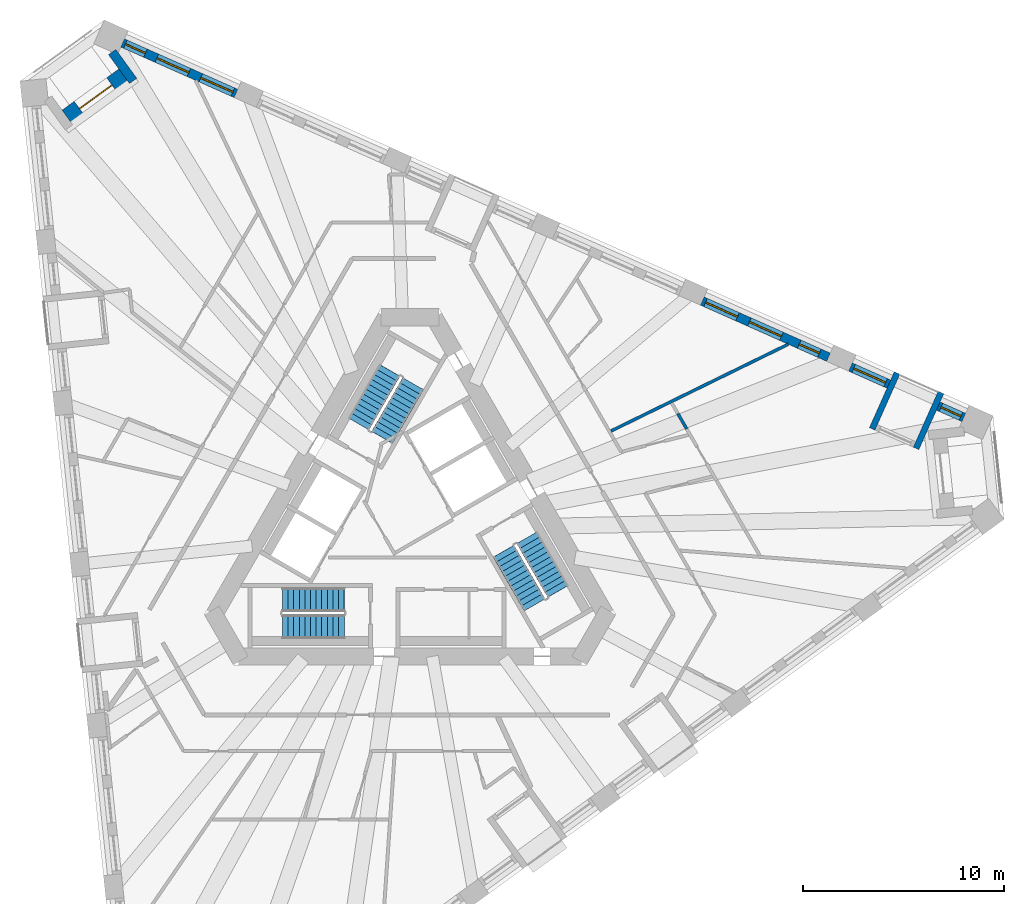
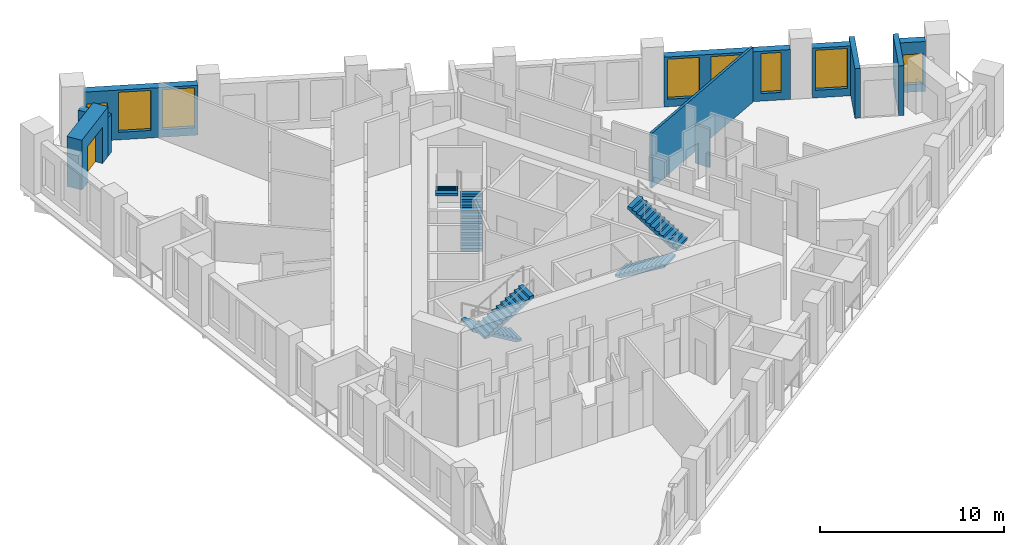
# One storey, part 9 of 14: 10 walls, 8 windows, 6 stair flights, 1 door, 9 openings, 3 elements without a shape of their own.
"""IFC4 building model written with IfcOpenShell, lengths in metres."""

from ifc_helpers import new_model, si_unit, direction, frame, frame_2d, origin, place, context, subcontext, project, spatial, polyline, rectangle, outline, extrude, material, layer, layer_set, type_object, element, fill, aggregate, save


model = new_model("IFC4")

# Units and contexts
model_context = context("Model", 3, precision=1e-05, world=origin(), true_north=direction((0.0, 1.0)))
body_context = subcontext(model_context, "Body", "Model", "MODEL_VIEW")
ifc_project = project(units=[si_unit("LENGTHUNIT", "METRE"), si_unit("AREAUNIT", "SQUARE_METRE"), si_unit("VOLUMEUNIT", "CUBIC_METRE"), si_unit("PLANEANGLEUNIT", "RADIAN"), si_unit("MASSUNIT", "GRAM", prefix="KILO")], contexts=[model_context])

# Site, building, storey
site_placement = place(None, origin())
site = spatial("IfcSite", under=ifc_project, at=site_placement, CompositionType="ELEMENT")
building_placement = place(site_placement, origin())
building = spatial("IfcBuilding", under=site, at=building_placement, Name="Tramontana Tower", CompositionType="ELEMENT")
storey_placement = place(building_placement, frame((0.0, 0.0, 174.800048828125)))
storey = spatial("IfcBuildingStorey", under=building, at=storey_placement, Name="L40", CompositionType="ELEMENT", Elevation=174.800048828125)

# Wall, opening, window
ifc_material_1 = material(Name="Precast concrete 60 MPa", Category="concrete")
ifc_layer_1 = layer(ifc_material_1, 0.449951171875)
ifc_layer_set_1 = layer_set([ifc_layer_1], Name="Precast concrete 60 MPa, 450 mm")
wall_type_1 = type_object("IfcWallType", Name="EW1 Stone-faced precast wall 450", PredefinedType="SOLIDWALL", material=ifc_layer_set_1)
wall_1_placement = place(storey_placement, frame((27.604736328125, 5.57958984375, 0.0), z_axis=(0.0, 0.0, 1.0), x_axis=(-0.913558681389, 0.406706940756, 0.0)))
wall_1 = element("IfcWall", 1, at=wall_1_placement, inside=storey, type_object=wall_type_1, Name="External wall L40 face 2 bay 1", PredefinedType="SOLIDWALL", context=body_context, shape_type="SweptSolid", body=[
    extrude(rectangle(XDim=1.39453125, YDim=0.449951171875, at=frame_2d((0.697265625, 0.0))), origin(), (0.0, 0.0, 1.0), 3.300048828125),
])
opening_1_placement = place(wall_1_placement, frame((0.147216796875, 0.0, 0.5)))
opening_1 = element("IfcOpeningElement", 2, at=opening_1_placement, cuts=wall_1, Name="Opening N2L", PredefinedType="OPENING", context=body_context, shape_type="SweptSolid", body=[
    extrude(rectangle(XDim=1.10009765625, YDim=2.0, at=frame_2d((0.550048828125, 1.0))), frame((0.0, 0.23486328125, 0.0), z_axis=(0.0, -1.0, 0.0), x_axis=(1.0, 0.0, 0.0)), (0.0, 0.0, 1.0), 0.469970703125),
])
ifc_material_2 = material(Name="Aluminum frame, double glazing unit", Category="aluminium")
window_type_1 = type_object("IfcWindowType", Name="N2L Window 1.1 x 2", PartitioningType="SINGLE_PANEL", PredefinedType="WINDOW", material=ifc_material_2)
window_1_placement = place(opening_1_placement, origin())
window_1 = element("IfcWindow", 3, at=window_1_placement, inside=storey, type_object=window_type_1, Name="Window N2L L40 face 2 module 1", OverallHeight=2.0, OverallWidth=1.10009765625, PartitioningType="SINGLE_PANEL", PredefinedType="WINDOW", context=body_context, shape_type="SweptSolid", body=[
    extrude(rectangle(XDim=1.10009765625, YDim=2.0, at=frame_2d((0.550048828125, 1.0))), frame((0.0, 0.030029296875, 0.0), z_axis=(0.0, -1.0, 0.0), x_axis=(1.0, 0.0, 0.0)), (0.0, 0.0, 1.0), 0.06005859375),
])
fill(opening_1, window_1)

wall_2_placement = place(storey_placement, frame((23.86962890625, 7.242431640625, 0.0), z_axis=(0.0, 0.0, 1.0), x_axis=(-0.913513282906, 0.406808901026, 0.0)))
wall_2 = element("IfcWall", 4, at=wall_2_placement, inside=storey, type_object=wall_type_1, Name="External wall L40 face 2 bay 1", PredefinedType="SOLIDWALL", context=body_context, shape_type="SweptSolid", body=[
    extrude(rectangle(XDim=2.094482421875, YDim=0.449951171875, at=frame_2d((1.04736328125, 0.0))), origin(), (0.0, 0.0, 1.0), 3.300048828125),
])
opening_2_placement = place(wall_2_placement, frame((0.172119140625, 0.0, 0.5)))
opening_2 = element("IfcOpeningElement", 5, at=opening_2_placement, cuts=wall_2, Name="Opening M2", PredefinedType="OPENING", context=body_context, shape_type="SweptSolid", body=[
    extrude(rectangle(XDim=1.75, YDim=2.64990234375, at=frame_2d((0.875, 1.324951171875))), frame((0.0, 0.23486328125, 0.0), z_axis=(0.0, -1.0, 0.0), x_axis=(1.0, 0.0, 0.0)), (0.0, 0.0, 1.0), 0.469970703125),
])
ifc_material_3 = material(Name="Aluminum frame, double glazing unit", Category="aluminium")
window_type_2 = type_object("IfcWindowType", Name="M2 Window 1.75 x 2.65", PartitioningType="SINGLE_PANEL", PredefinedType="WINDOW", material=ifc_material_3)
window_2_placement = place(opening_2_placement, origin())
window_2 = element("IfcWindow", 6, at=window_2_placement, inside=storey, type_object=window_type_2, Name="Window M2 L40 face 2 module 3", OverallHeight=2.64990234375, OverallWidth=1.75, PartitioningType="SINGLE_PANEL", PredefinedType="WINDOW", context=body_context, shape_type="SweptSolid", body=[
    extrude(rectangle(XDim=1.75, YDim=2.64990234375, at=frame_2d((0.875, 1.324951171875))), frame((0.0, 0.030029296875, 0.0), z_axis=(0.0, -1.0, 0.0), x_axis=(1.0, 0.0, 0.0)), (0.0, 0.0, 1.0), 0.06005859375),
])
fill(opening_2, window_2)

# Wall, openings, windows
wall_3_placement = place(storey_placement, frame((20.860107421875, 8.58251953125, 0.0), z_axis=(0.0, 0.0, 1.0), x_axis=(-0.913543675585, 0.40674064562, 0.0)))
wall_3 = element("IfcWall", 7, at=wall_3_placement, inside=storey, type_object=wall_type_1, Name="External wall L40 face 2 bay 2", PredefinedType="SOLIDWALL", context=body_context, shape_type="SweptSolid", body=[
    extrude(rectangle(XDim=6.8828125, YDim=0.449951171875, at=frame_2d((3.44140625, 0.0))), origin(), (0.0, 0.0, 1.0), 3.300048828125),
])
opening_3_placement = place(wall_3_placement, frame((0.4970703125, 0.0, 0.5)))
opening_3 = element("IfcOpeningElement", 8, at=opening_3_placement, cuts=wall_3, Name="Opening N2", PredefinedType="OPENING", context=body_context, shape_type="SweptSolid", body=[
    extrude(rectangle(XDim=1.10009765625, YDim=2.64990234375, at=frame_2d((0.550048828125, 1.324951171875))), frame((0.0, 0.23486328125, 0.0), z_axis=(0.0, -1.0, 0.0), x_axis=(1.0, 0.0, 0.0)), (0.0, 0.0, 1.0), 0.469970703125),
])
opening_4_placement = place(wall_3_placement, frame((2.56640625, 0.0, 0.5)))
opening_4 = element("IfcOpeningElement", 9, at=opening_4_placement, cuts=wall_3, Name="Opening M2", PredefinedType="OPENING", context=body_context, shape_type="SweptSolid", body=[
    extrude(rectangle(XDim=1.75, YDim=2.64990234375, at=frame_2d((0.875, 1.324951171875))), frame((0.0, 0.23486328125, 0.0), z_axis=(0.0, -1.0, 0.0), x_axis=(1.0, 0.0, 0.0)), (0.0, 0.0, 1.0), 0.469970703125),
])
opening_5_placement = place(wall_3_placement, frame((4.960693359375, 0.0, 0.5)))
opening_5 = element("IfcOpeningElement", 10, at=opening_5_placement, cuts=wall_3, Name="Opening M2", PredefinedType="OPENING", context=body_context, shape_type="SweptSolid", body=[
    extrude(rectangle(XDim=1.75, YDim=2.64990234375, at=frame_2d((0.875, 1.324951171875))), frame((0.0, 0.23486328125, 0.0), z_axis=(0.0, -1.0, 0.0), x_axis=(1.0, 0.0, 0.0)), (0.0, 0.0, 1.0), 0.469970703125),
])
window_3_placement = place(opening_4_placement, origin())
window_3 = element("IfcWindow", 11, at=window_3_placement, inside=storey, type_object=window_type_2, Name="Window M2 L40 face 2 module 5", OverallHeight=2.64990234375, OverallWidth=1.75, PartitioningType="SINGLE_PANEL", PredefinedType="WINDOW", context=body_context, shape_type="SweptSolid", body=[
    extrude(rectangle(XDim=1.75, YDim=2.64990234375, at=frame_2d((0.875, 1.324951171875))), frame((0.0, 0.030029296875, 0.0), z_axis=(0.0, -1.0, 0.0), x_axis=(1.0, 0.0, 0.0)), (0.0, 0.0, 1.0), 0.06005859375),
])
fill(opening_4, window_3)
window_4_placement = place(opening_5_placement, origin())
window_4 = element("IfcWindow", 12, at=window_4_placement, inside=storey, type_object=window_type_2, Name="Window M2 L40 face 2 module 6", OverallHeight=2.64990234375, OverallWidth=1.75, PartitioningType="SINGLE_PANEL", PredefinedType="WINDOW", context=body_context, shape_type="SweptSolid", body=[
    extrude(rectangle(XDim=1.75, YDim=2.64990234375, at=frame_2d((0.875, 1.324951171875))), frame((0.0, 0.030029296875, 0.0), z_axis=(0.0, -1.0, 0.0), x_axis=(1.0, 0.0, 0.0)), (0.0, 0.0, 1.0), 0.06005859375),
])
fill(opening_5, window_4)
ifc_material_4 = material(Name="Aluminum frame, double glazing unit", Category="aluminium")
window_type_3 = type_object("IfcWindowType", Name="N2 Window 1.1 x 2.65", PartitioningType="SINGLE_PANEL", PredefinedType="WINDOW", material=ifc_material_4)
window_5_placement = place(opening_3_placement, origin())
window_5 = element("IfcWindow", 13, at=window_5_placement, inside=storey, type_object=window_type_3, Name="Window N2 L40 face 2 module 4", OverallHeight=2.64990234375, OverallWidth=1.10009765625, PartitioningType="SINGLE_PANEL", PredefinedType="WINDOW", context=body_context, shape_type="SweptSolid", body=[
    extrude(rectangle(XDim=1.10009765625, YDim=2.64990234375, at=frame_2d((0.550048828125, 1.324951171875))), frame((0.0, 0.030029296875, 0.0), z_axis=(0.0, -1.0, 0.0), x_axis=(1.0, 0.0, 0.0)), (0.0, 0.0, 1.0), 0.06005859375),
])
fill(opening_3, window_5)

wall_4_placement = place(storey_placement, frame((-8.67626953125, 21.73291015625, 0.0), z_axis=(0.0, 0.0, 1.0), x_axis=(-0.913542682641, 0.406742875773, 0.0)))
wall_4 = element("IfcWall", 14, at=wall_4_placement, inside=storey, type_object=wall_type_1, Name="External wall L40 face 2 bay 6", PredefinedType="SOLIDWALL", context=body_context, shape_type="SweptSolid", body=[
    extrude(rectangle(XDim=6.18310546875, YDim=0.449951171875, at=frame_2d((3.091552734375, 0.0))), origin(), (0.0, 0.0, 1.0), 3.300048828125),
])
opening_6_placement = place(wall_4_placement, frame((0.172119140625, 0.0, 0.5)))
opening_6 = element("IfcOpeningElement", 15, at=opening_6_placement, cuts=wall_4, Name="Opening M2", PredefinedType="OPENING", context=body_context, shape_type="SweptSolid", body=[
    extrude(rectangle(XDim=1.75, YDim=2.64990234375, at=frame_2d((0.875, 1.324951171875))), frame((0.0, 0.23486328125, 0.0), z_axis=(0.0, -1.0, 0.0), x_axis=(1.0, 0.0, 0.0)), (0.0, 0.0, 1.0), 0.469970703125),
])
opening_7_placement = place(wall_4_placement, frame((2.56640625, 0.0, 0.5)))
opening_7 = element("IfcOpeningElement", 16, at=opening_7_placement, cuts=wall_4, Name="Opening M2", PredefinedType="OPENING", context=body_context, shape_type="SweptSolid", body=[
    extrude(rectangle(XDim=1.75, YDim=2.64990234375, at=frame_2d((0.875, 1.324951171875))), frame((0.0, 0.23486328125, 0.0), z_axis=(0.0, -1.0, 0.0), x_axis=(1.0, 0.0, 0.0)), (0.0, 0.0, 1.0), 0.469970703125),
])
opening_8_placement = place(wall_4_placement, frame((4.935791015625, 0.0, 0.5)))
opening_8 = element("IfcOpeningElement", 17, at=opening_8_placement, cuts=wall_4, Name="Opening N2L", PredefinedType="OPENING", context=body_context, shape_type="SweptSolid", body=[
    extrude(rectangle(XDim=1.10009765625, YDim=2.0, at=frame_2d((0.550048828125, 1.0))), frame((0.0, 0.23486328125, 0.0), z_axis=(0.0, -1.0, 0.0), x_axis=(1.0, 0.0, 0.0)), (0.0, 0.0, 1.0), 0.469970703125),
])
window_6_placement = place(opening_6_placement, origin())
window_6 = element("IfcWindow", 18, at=window_6_placement, inside=storey, type_object=window_type_2, Name="Window M2 L40 face 2 module 16", OverallHeight=2.64990234375, OverallWidth=1.75, PartitioningType="SINGLE_PANEL", PredefinedType="WINDOW", context=body_context, shape_type="SweptSolid", body=[
    extrude(rectangle(XDim=1.75, YDim=2.64990234375, at=frame_2d((0.875, 1.324951171875))), frame((0.0, 0.030029296875, 0.0), z_axis=(0.0, -1.0, 0.0), x_axis=(1.0, 0.0, 0.0)), (0.0, 0.0, 1.0), 0.06005859375),
])
fill(opening_6, window_6)
window_7_placement = place(opening_7_placement, origin())
window_7 = element("IfcWindow", 19, at=window_7_placement, inside=storey, type_object=window_type_2, Name="Window M2 L40 face 2 module 17", OverallHeight=2.64990234375, OverallWidth=1.75, PartitioningType="SINGLE_PANEL", PredefinedType="WINDOW", context=body_context, shape_type="SweptSolid", body=[
    extrude(rectangle(XDim=1.75, YDim=2.64990234375, at=frame_2d((0.875, 1.324951171875))), frame((0.0, 0.030029296875, 0.0), z_axis=(0.0, -1.0, 0.0), x_axis=(1.0, 0.0, 0.0)), (0.0, 0.0, 1.0), 0.06005859375),
])
fill(opening_7, window_7)
window_8_placement = place(opening_8_placement, origin())
window_8 = element("IfcWindow", 20, at=window_8_placement, inside=storey, type_object=window_type_1, Name="Window N2L L40 face 2 module 18", OverallHeight=2.0, OverallWidth=1.10009765625, PartitioningType="SINGLE_PANEL", PredefinedType="WINDOW", context=body_context, shape_type="SweptSolid", body=[
    extrude(rectangle(XDim=1.10009765625, YDim=2.0, at=frame_2d((0.550048828125, 1.0))), frame((0.0, 0.030029296875, 0.0), z_axis=(0.0, -1.0, 0.0), x_axis=(1.0, 0.0, 0.0)), (0.0, 0.0, 1.0), 0.06005859375),
])
fill(opening_8, window_8)

# Wall
wall_5_placement = place(storey_placement, frame((-14.847900390625, 23.796630859375, 0.0), z_axis=(0.0, 0.0, 1.0), x_axis=(0.587722853316, -0.809062326209, 0.0)))
element("IfcWall", 21, at=wall_5_placement, inside=storey, type_object=wall_type_1, Name="Corner loggia side wall L40 K40r", PredefinedType="SOLIDWALL", context=body_context, shape_type="SweptSolid", body=[
    extrude(rectangle(XDim=1.779052734375, YDim=0.449951171875, at=frame_2d((0.8896484375, 0.0))), origin(), (0.0, 0.0, 1.0), 2.550048828125),
])

# Wall, opening, door
ifc_material_5 = material(Name="Precast concrete 60 MPa", Category="concrete")
ifc_layer_2 = layer(ifc_material_5, 0.89990234375)
ifc_layer_set_2 = layer_set([ifc_layer_2], Name="EW2 Stone-faced corner loggia wall 900")
wall_type_2 = type_object("IfcWallType", Name="EW2 Stone-faced corner loggia wall 900", PredefinedType="SOLIDWALL", material=ifc_layer_set_2)
wall_6_placement = place(storey_placement, frame((-17.080322265625, 20.53173828125, 0.0), z_axis=(0.0, 0.0, 1.0), x_axis=(0.809031597325, 0.587765152531, 0.0)))
wall_6 = element("IfcWall", 22, at=wall_6_placement, inside=storey, type_object=wall_type_2, Name="Corner loggia wall L40 K40", PredefinedType="SOLIDWALL", context=body_context, shape_type="SweptSolid", body=[
    extrude(rectangle(XDim=3.5, YDim=0.89990234375, at=frame_2d((1.75, 0.0))), origin(), (0.0, 0.0, 1.0), 3.300048828125),
])
opening_9_placement = place(wall_6_placement, frame((0.75, 0.0, 0.0)))
opening_9 = element("IfcOpeningElement", 23, at=opening_9_placement, cuts=wall_6, Name="Opening BD-40C", PredefinedType="OPENING", context=body_context, shape_type="SweptSolid", body=[
    extrude(rectangle(XDim=2.0, YDim=2.39990234375, at=frame_2d((1.0, 1.199951171875))), frame((0.0, 0.4599609375, 0.0), z_axis=(0.0, -1.0, 0.0), x_axis=(1.0, 0.0, 0.0)), (0.0, 0.0, 1.0), 0.919921875),
])
ifc_material_6 = material(Name="Aluminum frame, double glazing unit", Category="aluminium")
door_type = type_object("IfcDoorType", Name="BC1 Sliding door 2 x 2.4", OperationType="SLIDING_TO_LEFT", PredefinedType="DOOR", material=ifc_material_6)
door_placement = place(opening_9_placement, origin())
door = element("IfcDoor", 24, at=door_placement, inside=storey, type_object=door_type, Name="Corner loggia door L40 K40", OperationType="SLIDING_TO_LEFT", OverallHeight=2.39990234375, OverallWidth=2.0, PredefinedType="DOOR", context=body_context, shape_type="SweptSolid", body=[
    extrude(rectangle(XDim=2.0, YDim=2.39990234375, at=frame_2d((1.0, 1.199951171875))), frame((0.0, 0.02490234375, 0.0), z_axis=(0.0, -1.0, 0.0), x_axis=(1.0, 0.0, 0.0)), (0.0, 0.0, 1.0), 0.050048828125),
])
fill(opening_9, door)

# Walls
ifc_material_7 = material(Name="Precast concrete 60 MPa", Category="concrete")
ifc_layer_3 = layer(ifc_material_7, 0.300048828125)
ifc_layer_set_3 = layer_set([ifc_layer_3], Name="LW1 Stone-faced loggia wall 300")
wall_type_3 = type_object("IfcWallType", Name="LW1 Stone-faced loggia wall 300", PredefinedType="SOLIDWALL", material=ifc_layer_set_3)
for number, where, z_axis, x_axis, name in (
    (25, (26.468505859375, 6.82421875, 0.0), (0.0, 0.0, 1.0), (-0.406806804169, -0.913514216683, 0.0), "Loggia return L40 G4S2.1a"),
    (26, (24.281005859375, 7.798095703125, 0.0), (0.0, 0.0, 1.0), (-0.406739999721, -0.91354396316, 0.0), "Loggia return L40 G4S2.1b"),
):
    element("IfcWall", number, at=place(storey_placement, frame(where, z_axis=z_axis, x_axis=x_axis)), inside=storey, type_object=wall_type_3, Name=name, PredefinedType="SOLIDWALL", context=body_context, shape_type="SweptSolid", body=[
        extrude(rectangle(XDim=3.0498046875, YDim=0.300048828125, at=frame_2d((1.52490234375, 0.0))), origin(), (0.0, 0.0, 1.0), 3.300048828125),
    ])
ifc_material_8 = material(Name="Gypsum board partition")
ifc_layer_4 = layer(ifc_material_8, 0.14990234375)
ifc_layer_set_4 = layer_set([ifc_layer_4], Name="PARTITION 150")
wall_type_4 = type_object("IfcWallType", Name="PARTITION 150", PredefinedType="PARTITIONING", material=ifc_layer_set_4)
wall_7_placement = place(storey_placement, frame((10.015869140625, 4.902099609375, 0.0), z_axis=(0.0, 0.0, 1.0), x_axis=(0.898175873885, 0.439636326492, 0.0)))
element("IfcWall", 27, at=wall_7_placement, inside=storey, type_object=wall_type_4, Name="Wall v41-pw41", PredefinedType="PARTITIONING", context=body_context, shape_type="SweptSolid", body=[
    extrude(rectangle(XDim=9.841552734375, YDim=0.14990234375, at=frame_2d((4.9208984375, 0.0))), origin(), (0.0, 0.0, 1.0), 3.64990234375),
])
wall_8_placement = place(storey_placement, frame((13.3505859375, 5.7763671875, 0.0), z_axis=(0.0, 0.0, 1.0), x_axis=(0.499969398072, -0.866043071095, 0.0)))
element("IfcWall", 28, at=wall_8_placement, inside=storey, type_object=wall_type_4, Name="Wall v41-pw44-1", PredefinedType="PARTITIONING", context=body_context, shape_type="SweptSolid", body=[
    extrude(rectangle(XDim=0.88427734375, YDim=0.14990234375, at=frame_2d((0.442138671875, 0.0))), origin(), (0.0, 0.0, 1.0), 2.550048828125),
])

# Stair, stair flights
ifc_material_9 = material(Name="Concrete 40 MPa", Category="concrete")
stair_type = type_object("IfcStairType", Name="EXIT STAIR 24 RISERS", PredefinedType="HALF_TURN_STAIR", material=ifc_material_9)
stair_1_placement = place(storey_placement, origin())
stair_1 = element("IfcStair", 29, at=stair_1_placement, inside=storey, type_object=stair_type, Name="L40 Exit stair ST1", PredefinedType="HALF_TURN_STAIR")
ifc_material_10 = material(Name="Concrete 40 MPa", Category="concrete")
ifc_layer_5 = layer(ifc_material_10, 0.14990234375)
ifc_layer_set_5 = layer_set([ifc_layer_5], Name="EXIT STAIR FLIGHT")
stair_flight_type = type_object("IfcStairFlightType", Name="EXIT STAIR FLIGHT", PredefinedType="STRAIGHT", material=ifc_layer_set_5)
stair_flight_1_placement = place(storey_placement, frame((-1.39111328125, 4.590576171875, 0.0), z_axis=(0.0, 0.0, 1.0), x_axis=(0.5, 0.866025403784, 0.0)))
stair_flight_1 = element("IfcStairFlight", 30, at=stair_flight_1_placement, type_object=stair_flight_type, Name="ST1 flight 1", NumberOfRisers=12, NumberOfTreads=11, PredefinedType="STRAIGHT", RiserHeight=0.166666667, TreadLength=0.28, context=body_context, shape_type="SweptSolid", body=[
    extrude(outline(polyline([(-0.006103515625, 0.0), (-0.006103515625, 0.0400390625), (0.0, 0.0400390625), (0.0, 0.166748046875), (0.280029296875, 0.166748046875), (0.280029296875, 0.333251953125), (0.56005859375, 0.333251953125), (0.56005859375, 0.5), (0.840087890625, 0.5), (0.840087890625, 0.666748046875), (1.1201171875, 0.666748046875), (1.1201171875, 0.833251953125), (1.39990234375, 0.833251953125), (1.39990234375, 1.0), (1.679931640625, 1.0), (1.679931640625, 1.166748046875), (1.9599609375, 1.166748046875), (1.9599609375, 1.333251953125), (2.239990234375, 1.333251953125), (2.239990234375, 1.5), (2.52001953125, 1.5), (2.52001953125, 1.666748046875), (2.800048828125, 1.666748046875), (2.800048828125, 1.833251953125), (3.080078125, 1.833251953125), (3.0859375, 1.833251953125), (3.0859375, 1.658935546875), (0.299072265625, 0.0), (-0.006103515625, 0.0)])), frame((0.0, 0.60009765625, 0.0), z_axis=(0.0, -1.0, 0.0), x_axis=(1.0, 0.0, 0.0)), (0.0, 0.0, 1.0), 1.199951171875),
])
stair_flight_2_placement = place(storey_placement, frame((-1.020263671875, 7.932861328125, 2.0), z_axis=(0.0, 0.0, 1.0), x_axis=(-0.5, -0.866025403784, 0.0)))
stair_flight_2 = element("IfcStairFlight", 31, at=stair_flight_2_placement, type_object=stair_flight_type, Name="ST1 flight 2", NumberOfRisers=12, NumberOfTreads=11, PredefinedType="STRAIGHT", RiserHeight=0.166666667, TreadLength=0.28, context=body_context, shape_type="SweptSolid", body=[
    extrude(outline(polyline([(-0.006103515625, 0.0), (-0.006103515625, 0.0400390625), (0.0, 0.0400390625), (0.0, 0.166748046875), (0.280029296875, 0.166748046875), (0.280029296875, 0.333251953125), (0.56005859375, 0.333251953125), (0.56005859375, 0.5), (0.840087890625, 0.5), (0.840087890625, 0.666748046875), (1.1201171875, 0.666748046875), (1.1201171875, 0.833251953125), (1.39990234375, 0.833251953125), (1.39990234375, 1.0), (1.679931640625, 1.0), (1.679931640625, 1.166748046875), (1.9599609375, 1.166748046875), (1.9599609375, 1.333251953125), (2.239990234375, 1.333251953125), (2.239990234375, 1.5), (2.52001953125, 1.5), (2.52001953125, 1.666748046875), (2.800048828125, 1.666748046875), (2.800048828125, 1.833251953125), (3.080078125, 1.833251953125), (3.0859375, 1.833251953125), (3.0859375, 1.658935546875), (0.299072265625, 0.0), (-0.006103515625, 0.0)])), frame((0.0, 0.60009765625, 0.0), z_axis=(0.0, -1.0, 0.0), x_axis=(1.0, 0.0, 0.0)), (0.0, 0.0, 1.0), 1.199951171875),
])
aggregate(stair_1, [stair_flight_1, stair_flight_2])

stair_2_placement = place(storey_placement, origin())
stair_2 = element("IfcStair", 32, at=stair_2_placement, inside=storey, type_object=stair_type, Name="L40 Exit stair ST2", PredefinedType="HALF_TURN_STAIR")
stair_flight_3_placement = place(storey_placement, frame((-3.280029296875, -3.5, 0.0), z_axis=(0.0, 0.0, 1.0), x_axis=(-1.0, 0.0, 0.0)))
stair_flight_3 = element("IfcStairFlight", 33, at=stair_flight_3_placement, type_object=stair_flight_type, Name="ST2 flight 1", NumberOfRisers=12, NumberOfTreads=11, PredefinedType="STRAIGHT", RiserHeight=0.166666667, TreadLength=0.28, context=body_context, shape_type="SweptSolid", body=[
    extrude(outline(polyline([(-0.006103515625, 0.0), (-0.006103515625, 0.0400390625), (0.0, 0.0400390625), (0.0, 0.166748046875), (0.280029296875, 0.166748046875), (0.280029296875, 0.333251953125), (0.56005859375, 0.333251953125), (0.56005859375, 0.5), (0.840087890625, 0.5), (0.840087890625, 0.666748046875), (1.1201171875, 0.666748046875), (1.1201171875, 0.833251953125), (1.39990234375, 0.833251953125), (1.39990234375, 1.0), (1.679931640625, 1.0), (1.679931640625, 1.166748046875), (1.9599609375, 1.166748046875), (1.9599609375, 1.333251953125), (2.239990234375, 1.333251953125), (2.239990234375, 1.5), (2.52001953125, 1.5), (2.52001953125, 1.666748046875), (2.800048828125, 1.666748046875), (2.800048828125, 1.833251953125), (3.080078125, 1.833251953125), (3.0859375, 1.833251953125), (3.0859375, 1.658935546875), (0.299072265625, 0.0), (-0.006103515625, 0.0)])), frame((0.0, 0.60009765625, 0.0), z_axis=(0.0, -1.0, 0.0), x_axis=(1.0, 0.0, 0.0)), (0.0, 0.0, 1.0), 1.199951171875),
])
stair_flight_4_placement = place(storey_placement, frame((-6.360107421875, -4.85009765625, 2.0), z_axis=(0.0, 0.0, 1.0), x_axis=(1.0, 0.0, 0.0)))
stair_flight_4 = element("IfcStairFlight", 34, at=stair_flight_4_placement, type_object=stair_flight_type, Name="ST2 flight 2", NumberOfRisers=12, NumberOfTreads=11, PredefinedType="STRAIGHT", RiserHeight=0.166666667, TreadLength=0.28, context=body_context, shape_type="SweptSolid", body=[
    extrude(outline(polyline([(-0.006103515625, 0.0), (-0.006103515625, 0.0400390625), (0.0, 0.0400390625), (0.0, 0.166748046875), (0.280029296875, 0.166748046875), (0.280029296875, 0.333251953125), (0.56005859375, 0.333251953125), (0.56005859375, 0.5), (0.840087890625, 0.5), (0.840087890625, 0.666748046875), (1.1201171875, 0.666748046875), (1.1201171875, 0.833251953125), (1.39990234375, 0.833251953125), (1.39990234375, 1.0), (1.679931640625, 1.0), (1.679931640625, 1.166748046875), (1.9599609375, 1.166748046875), (1.9599609375, 1.333251953125), (2.239990234375, 1.333251953125), (2.239990234375, 1.5), (2.52001953125, 1.5), (2.52001953125, 1.666748046875), (2.800048828125, 1.666748046875), (2.800048828125, 1.833251953125), (3.080078125, 1.833251953125), (3.0859375, 1.833251953125), (3.0859375, 1.658935546875), (0.299072265625, 0.0), (-0.006103515625, 0.0)])), frame((0.0, 0.60009765625, 0.0), z_axis=(0.0, -1.0, 0.0), x_axis=(1.0, 0.0, 0.0)), (0.0, 0.0, 1.0), 1.199951171875),
])
aggregate(stair_2, [stair_flight_3, stair_flight_4])

stair_3_placement = place(storey_placement, origin())
stair_3 = element("IfcStair", 35, at=stair_3_placement, inside=storey, type_object=stair_type, Name="L40 Exit stair ST3", PredefinedType="HALF_TURN_STAIR")
stair_flight_5_placement = place(storey_placement, frame((4.671142578125, -1.090576171875, 0.0), z_axis=(0.0, 0.0, 1.0), x_axis=(0.5, -0.866025403784, 0.0)))
stair_flight_5 = element("IfcStairFlight", 36, at=stair_flight_5_placement, type_object=stair_flight_type, Name="ST3 flight 1", NumberOfRisers=12, NumberOfTreads=11, PredefinedType="STRAIGHT", RiserHeight=0.166666667, TreadLength=0.28, context=body_context, shape_type="SweptSolid", body=[
    extrude(outline(polyline([(-0.006103515625, 0.0), (-0.006103515625, 0.0400390625), (0.0, 0.0400390625), (0.0, 0.166748046875), (0.280029296875, 0.166748046875), (0.280029296875, 0.333251953125), (0.56005859375, 0.333251953125), (0.56005859375, 0.5), (0.840087890625, 0.5), (0.840087890625, 0.666748046875), (1.1201171875, 0.666748046875), (1.1201171875, 0.833251953125), (1.39990234375, 0.833251953125), (1.39990234375, 1.0), (1.679931640625, 1.0), (1.679931640625, 1.166748046875), (1.9599609375, 1.166748046875), (1.9599609375, 1.333251953125), (2.239990234375, 1.333251953125), (2.239990234375, 1.5), (2.52001953125, 1.5), (2.52001953125, 1.666748046875), (2.800048828125, 1.666748046875), (2.800048828125, 1.833251953125), (3.080078125, 1.833251953125), (3.0859375, 1.833251953125), (3.0859375, 1.658935546875), (0.299072265625, 0.0), (-0.006103515625, 0.0)])), frame((0.0, 0.60009765625, 0.0), z_axis=(0.0, -1.0, 0.0), x_axis=(1.0, 0.0, 0.0)), (0.0, 0.0, 1.0), 1.199951171875),
])
stair_flight_6_placement = place(storey_placement, frame((7.380126953125, -3.0830078125, 2.0), z_axis=(0.0, 0.0, 1.0), x_axis=(-0.5, 0.866025403784, 0.0)))
stair_flight_6 = element("IfcStairFlight", 37, at=stair_flight_6_placement, type_object=stair_flight_type, Name="ST3 flight 2", NumberOfRisers=12, NumberOfTreads=11, PredefinedType="STRAIGHT", RiserHeight=0.166666667, TreadLength=0.28, context=body_context, shape_type="SweptSolid", body=[
    extrude(outline(polyline([(-0.006103515625, 0.0), (-0.006103515625, 0.0400390625), (0.0, 0.0400390625), (0.0, 0.166748046875), (0.280029296875, 0.166748046875), (0.280029296875, 0.333251953125), (0.56005859375, 0.333251953125), (0.56005859375, 0.5), (0.840087890625, 0.5), (0.840087890625, 0.666748046875), (1.1201171875, 0.666748046875), (1.1201171875, 0.833251953125), (1.39990234375, 0.833251953125), (1.39990234375, 1.0), (1.679931640625, 1.0), (1.679931640625, 1.166748046875), (1.9599609375, 1.166748046875), (1.9599609375, 1.333251953125), (2.239990234375, 1.333251953125), (2.239990234375, 1.5), (2.52001953125, 1.5), (2.52001953125, 1.666748046875), (2.800048828125, 1.666748046875), (2.800048828125, 1.833251953125), (3.080078125, 1.833251953125), (3.0859375, 1.833251953125), (3.0859375, 1.658935546875), (0.299072265625, 0.0), (-0.006103515625, 0.0)])), frame((0.0, 0.60009765625, 0.0), z_axis=(0.0, -1.0, 0.0), x_axis=(1.0, 0.0, 0.0)), (0.0, 0.0, 1.0), 1.199951171875),
])
aggregate(stair_3, [stair_flight_5, stair_flight_6])

save(model, "model.ifc")
